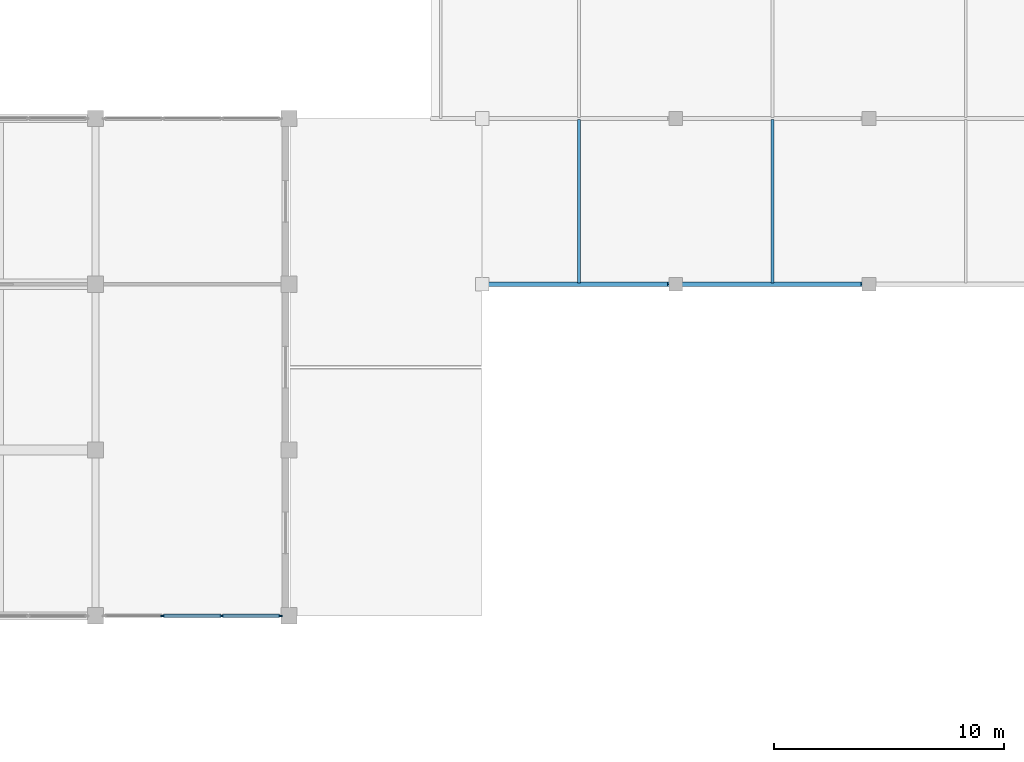
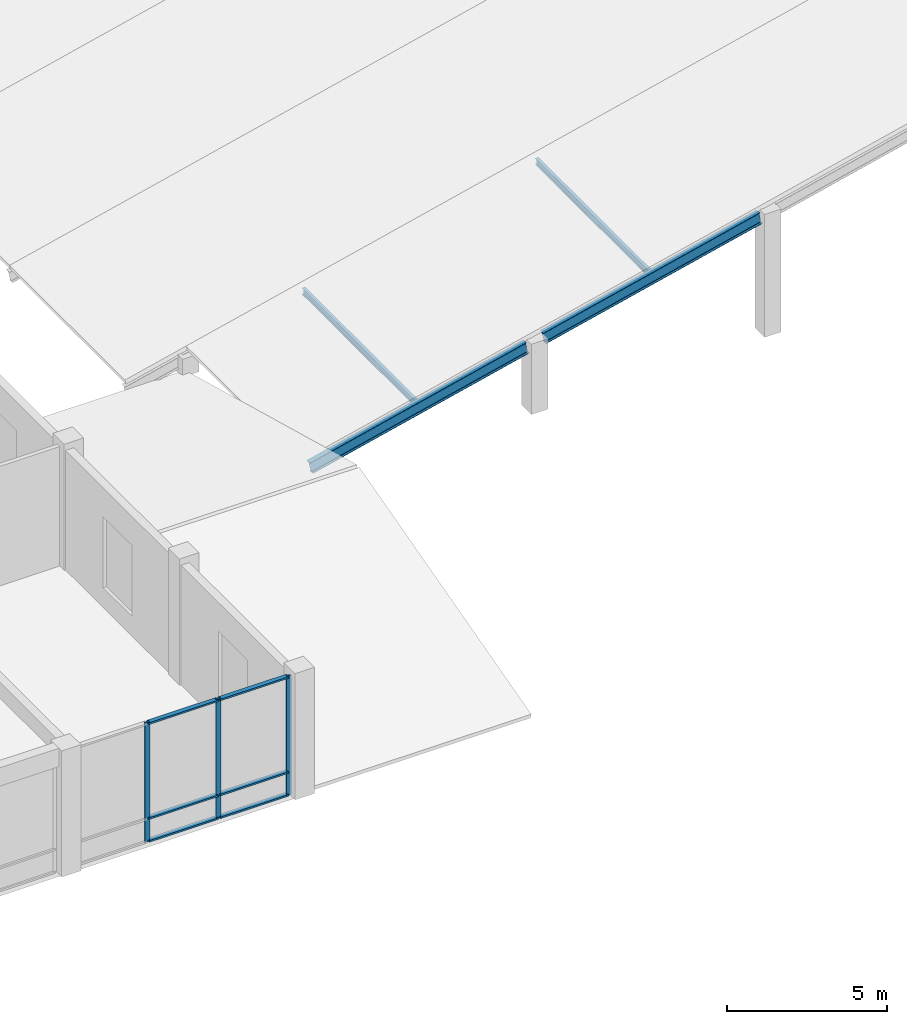
# One storey, part 23 of 51: 11 members, 2 beams, 1 element without a shape of its own.
"""IFC4 building model written with IfcOpenShell, lengths in metres."""

import ifcopenshell
import ifcopenshell.guid

model = None  # the IFC model being written
_history = None  # IfcOwnerHistory: only IFC2X3 demands one
_inside = {}  # id of a spatial element -> (the spatial element, [elements in it])
_under = {}  # id of a project, library or spatial element -> (it, [spatial elements below it])
_declared = {}  # id of a project -> (the project, [libraries it declares])
_typed = {}  # id of a type object -> (the type object, [elements of that type])
_made_of = {}  # id of a material, layer set ... -> (it, [elements and type objects made of it])


def new_model(schema):
    """Start an empty IFC model of exactly this schema.

    Asked for "IFC4X3", IfcOpenShell would pick the latest addendum, in which some entities
    have other attributes; the version numbers below select the first issue.
    IFC2X3 requires an IfcOwnerHistory on every rooted entity: one is made here for all.
    """
    global model, _history
    if schema == "IFC4X3":
        model = ifcopenshell.file(schema_version=(4, 3, 0, 0))
    else:
        model = ifcopenshell.file(schema=schema)
    _inside.clear()
    _under.clear()
    _declared.clear()
    _typed.clear()
    _made_of.clear()
    _history = None
    if model.schema == "IFC2X3":
        org = make("IfcOrganization", Name="unknown")
        user = make(
            "IfcPersonAndOrganization",
            ThePerson=make("IfcPerson", FamilyName="unknown"),
            TheOrganization=org,
        )
        app = make(
            "IfcApplication",
            ApplicationDeveloper=org,
            Version="unknown",
            ApplicationFullName="unknown",
            ApplicationIdentifier="unknown",
        )
        _history = make(
            "IfcOwnerHistory",
            OwningUser=user,
            OwningApplication=app,
            ChangeAction="ADDED",
            CreationDate=0,
        )
    return model


def make(cls, **values):
    """One entity of the class cls with the attributes given. An attribute that is None is left unset."""
    return model.create_entity(
        cls, **{name: value for name, value in values.items() if value is not None}
    )


def rooted(cls, **values):
    """An entity with a GlobalId (a new one), such as an element, a storey or a relation."""
    return make(cls, GlobalId=ifcopenshell.guid.new(), OwnerHistory=_history, **values)


def si_unit(unit_type, name, prefix=None):
    """IfcSIUnit, for example si_unit("LENGTHUNIT", "METRE", prefix="MILLI")."""
    return make("IfcSIUnit", UnitType=unit_type, Prefix=prefix, Name=name)


def assignment(units):
    """IfcUnitAssignment: the units of a project."""
    return None if units is None else make("IfcUnitAssignment", Units=units)


def point(xyz):
    """IfcCartesianPoint."""
    return None if xyz is None else make("IfcCartesianPoint", Coordinates=xyz)


def direction(xyz):
    """IfcDirection."""
    return None if xyz is None else make("IfcDirection", DirectionRatios=xyz)


def frame(location, z_axis=None, x_axis=None):
    """IfcAxis2Placement3D, a coordinate frame: its origin and axes. An axis left out is left unset."""
    return make(
        "IfcAxis2Placement3D",
        Location=point(location),
        Axis=direction(z_axis),
        RefDirection=direction(x_axis),
    )


def frame_2d(location, x_axis=None):
    """IfcAxis2Placement2D, a coordinate frame in the plane: its origin and x axis."""
    return make(
        "IfcAxis2Placement2D", Location=point(location), RefDirection=direction(x_axis)
    )


def origin():
    """The frame at (0, 0, 0) with its axes left unset."""
    return frame((0.0, 0.0, 0.0))


def origin_2d():
    """The frame at (0, 0) in the plane with its x axis left unset."""
    return frame_2d((0.0, 0.0))


def place(relative_to, where):
    """IfcLocalPlacement: puts the frame where relative to a parent placement (None: the world)."""
    return make(
        "IfcLocalPlacement", PlacementRelTo=relative_to, RelativePlacement=where
    )


def context(
    kind, dimensions, precision=None, world=None, true_north=None, identifier=None
):
    """IfcGeometricRepresentationContext, for example the 3D "Model" context."""
    return make(
        "IfcGeometricRepresentationContext",
        ContextIdentifier=identifier,
        ContextType=kind,
        CoordinateSpaceDimension=dimensions,
        Precision=precision,
        WorldCoordinateSystem=world,
        TrueNorth=true_north,
    )


def subcontext(parent, identifier, kind, view, scale=None):
    """IfcGeometricRepresentationSubContext, for example "Body" below "Model"."""
    return make(
        "IfcGeometricRepresentationSubContext",
        ContextIdentifier=identifier,
        ContextType=kind,
        ParentContext=parent,
        TargetScale=scale,
        TargetView=view,
    )


def project(units=None, contexts=None):
    """IfcProject with its units and contexts."""
    return rooted(
        "IfcProject",
        Name="project",
        RepresentationContexts=contexts,
        UnitsInContext=assignment(units),
    )


def spatial(cls, under=None, at=None, **own):
    """A site, building, storey or space (cls), placed at a placement, below another one or the project."""
    s = rooted(cls, ObjectPlacement=at, **own)
    if under is not None:
        _under.setdefault(under.id(), (under, []))[1].append(s)
    return s


def profile(cls, at=None, kind="AREA", **sizes):
    """A parametric profile (cls). Its sizes go by their IFC names, for example OverallWidth=200.0."""
    return make(cls, ProfileType=kind, Position=at, **sizes)


def rectangle(**sizes):
    """IfcRectangleProfileDef."""
    return profile("IfcRectangleProfileDef", **sizes)


def i_section(**sizes):
    """IfcIShapeProfileDef."""
    return profile("IfcIShapeProfileDef", **sizes)


def extrude(swept, where, along, depth):
    """IfcExtrudedAreaSolid: the profile swept, set in the frame where, extruded along a direction by depth."""
    return make(
        "IfcExtrudedAreaSolid",
        SweptArea=swept,
        Position=where,
        ExtrudedDirection=direction(along),
        Depth=depth,
    )


def shape(context_of_items, identifier, shape_type, items):
    """IfcShapeRepresentation: the items that make up one representation, for example the "Body"."""
    return make(
        "IfcShapeRepresentation",
        ContextOfItems=context_of_items,
        RepresentationIdentifier=identifier,
        RepresentationType=shape_type,
        Items=items,
    )


def material(Name=None, Category=None):
    """IfcMaterial."""
    return make("IfcMaterial", Name=Name, Category=Category)


def material_profile(
    of_material, cross_section, Name=None, Category=None, Priority=None
):
    """IfcMaterialProfile: a cross section and its material."""
    return make(
        "IfcMaterialProfile",
        Name=Name,
        Material=of_material,
        Profile=cross_section,
        Priority=Priority,
        Category=Category,
    )


def profile_set(profiles, Name=None, composite=None):
    """IfcMaterialProfileSet."""
    return make(
        "IfcMaterialProfileSet",
        Name=Name,
        MaterialProfiles=profiles,
        CompositeProfile=composite,
    )


def made_of(thing, what):
    """Note that an element or type object is made of a material, layer set ...; save() writes the relation."""
    if what is not None:
        _made_of.setdefault(what.id(), (what, []))[1].append(thing)
    return thing


def type_object(cls, material=None, **own):
    """A type object (cls), such as IfcWallType, which elements share."""
    return made_of(rooted(cls, **own), material)


def element(
    cls,
    number,
    at=None,
    inside=None,
    cuts=None,
    type_object=None,
    material=None,
    context=None,
    identifier="Body",
    shape_type=None,
    held_by="IfcProductDefinitionShape",
    body=None,
    shapes=None,
    **own,
):
    """One element of the class cls, such as IfcWall. Its Tag is "e" and its number.

    at: its placement. inside: the storey or other place that contains it. cuts: it is an
    opening in that element (IfcRelVoidsElement). A single representation is given by context,
    identifier, shape_type and body (its items); several are given by shapes. held_by: the class
    of the entity that holds the representations. save() writes the other relations.
    """
    e = rooted(cls, Tag="e%d" % number, ObjectPlacement=at, **own)
    if body is not None:
        shapes = [shape(context, identifier, shape_type, body)]
    if shapes is not None:
        e.Representation = make(held_by, Representations=shapes)
    if inside is not None:
        _inside.setdefault(inside.id(), (inside, []))[1].append(e)
    if cuts is not None:
        rooted(
            "IfcRelVoidsElement", RelatingBuildingElement=cuts, RelatedOpeningElement=e
        )
    if type_object is not None:
        _typed.setdefault(type_object.id(), (type_object, []))[1].append(e)
    return made_of(e, material)


def aggregate(whole, parts):
    """IfcRelAggregates: a whole, such as a stair, and the parts it consists of."""
    return rooted("IfcRelAggregates", RelatingObject=whole, RelatedObjects=parts)


def save(model, path):
    """Write the relations noted so far, then the file.

    IfcRelAggregates (storeys below a building ...), IfcRelContainedInSpatialStructure (elements
    in a storey), IfcRelDefinesByType, IfcRelAssociatesMaterial and IfcRelDeclares: one each for
    every whole, place, type object, material and project.
    """
    for whole, parts in _under.values():
        aggregate(whole, parts)
    for where, things in _inside.values():
        rooted(
            "IfcRelContainedInSpatialStructure",
            RelatedElements=things,
            RelatingStructure=where,
        )
    for kind, things in _typed.values():
        rooted("IfcRelDefinesByType", RelatedObjects=things, RelatingType=kind)
    for what, things in _made_of.values():
        rooted("IfcRelAssociatesMaterial", RelatedObjects=things, RelatingMaterial=what)
    for by, libraries in _declared.values():
        rooted("IfcRelDeclares", RelatingContext=by, RelatedDefinitions=libraries)
    model.write(path)


model = new_model("IFC4")

# Units and contexts
model_context = context("Model", 3, precision=1e-05, world=origin(), true_north=direction((0.0, 1.0)))
body_context = subcontext(model_context, "Body", "Model", "MODEL_VIEW")
ifc_project = project(units=[si_unit("LENGTHUNIT", "METRE"), si_unit("AREAUNIT", "SQUARE_METRE"), si_unit("VOLUMEUNIT", "CUBIC_METRE"), si_unit("PLANEANGLEUNIT", "RADIAN"), si_unit("MASSUNIT", "GRAM", prefix="KILO")], contexts=[model_context])

# Site, building, storey
site_placement = place(None, origin())
site = spatial("IfcSite", under=ifc_project, at=site_placement, CompositionType="ELEMENT")
building_placement = place(site_placement, origin())
building = spatial("IfcBuilding", under=site, at=building_placement, Name="Kenerak Square Central Library", CompositionType="ELEMENT")
storey_placement = place(building_placement, frame((0.0, 0.0, 9.60009765625)))
storey = spatial("IfcBuildingStorey", under=building, at=storey_placement, Name="L02", CompositionType="ELEMENT", Elevation=9.60009765625)

# Curtain wall, members
ifc_material_1 = material(Name="Anodised aluminium and solar-control low-E glazing", Category="aluminium")
curtain_wall_type = type_object("IfcCurtainWallType", Name="Curtain Wall CW-V6-77x45 7700x4550", PredefinedType="USERDEFINED", material=ifc_material_1)
curtain_wall_placement = place(storey_placement, origin())
curtain_wall = element("IfcCurtainWall", 1, at=curtain_wall_placement, inside=storey, type_object=curtain_wall_type, Name="Curtain Wall CW-V6-77x45 L02 0092", ObjectType="CURTAIN WALL", PredefinedType="USERDEFINED")
ifc_material_2 = material(Name="Anodised aluminium 6063-T6", Category="aluminium")
ifc_material_profile_1 = material_profile(ifc_material_2, rectangle(XDim=0.06494140625, YDim=0.179931640625, at=origin_2d()), Name="AL MULLION 65x180")
ifc_profile_set_1 = profile_set([ifc_material_profile_1], Name="Anodised aluminium 6063-T6")
member_type_1 = type_object("IfcMemberType", Name="Curtain Mullion CM-01 65x180", PredefinedType="MULLION", material=ifc_profile_set_1)
member_1_placement = place(storey_placement, frame((142.017578125, 16.800048828125, 0.0), z_axis=(0.0, 0.0, 1.0), x_axis=(0.0, -1.0, 0.0)))
member_1 = element("IfcMember", 2, at=member_1_placement, type_object=member_type_1, Name="CW-V6-77x45 Mullion 1", PredefinedType="MULLION", context=body_context, shape_type="SweptSolid", body=[
    extrude(rectangle(XDim=0.06494140625, YDim=0.179931640625, at=origin_2d()), origin(), (0.0, 0.0, 1.0), 4.5498046875),
])
member_2_placement = place(storey_placement, frame((139.4833984375, 16.800048828125, 0.0), z_axis=(0.0, 0.0, 1.0), x_axis=(0.0, -1.0, 0.0)))
member_2 = element("IfcMember", 3, at=member_2_placement, type_object=member_type_1, Name="CW-V6-77x45 Mullion 2", PredefinedType="MULLION", context=body_context, shape_type="SweptSolid", body=[
    extrude(rectangle(XDim=0.06494140625, YDim=0.179931640625, at=origin_2d()), origin(), (0.0, 0.0, 1.0), 4.5498046875),
])
member_3_placement = place(storey_placement, frame((136.916748046875, 16.800048828125, 0.0), z_axis=(0.0, 0.0, 1.0), x_axis=(0.0, -1.0, 0.0)))
member_3 = element("IfcMember", 4, at=member_3_placement, type_object=member_type_1, Name="CW-V6-77x45 Mullion 3", PredefinedType="MULLION", context=body_context, shape_type="SweptSolid", body=[
    extrude(rectangle(XDim=0.06494140625, YDim=0.179931640625, at=origin_2d()), origin(), (0.0, 0.0, 1.0), 4.5498046875),
])
ifc_material_profile_2 = material_profile(ifc_material_2, rectangle(XDim=0.159912109375, YDim=0.06494140625, at=origin_2d()), Name="AL TRANSOM 160x65")
ifc_profile_set_2 = profile_set([ifc_material_profile_2], Name="Anodised aluminium 6063-T6")
member_type_2 = type_object("IfcMemberType", Name="Curtain Transom CT-11 160x65", PredefinedType="USERDEFINED", material=ifc_profile_set_2)
member_4_placement = place(storey_placement, frame((141.985107421875, 16.800048828125, 0.032470703125), z_axis=(-1.0, 0.0, 0.0), x_axis=(0.0, -1.0, 0.0)))
member_4 = element("IfcMember", 5, at=member_4_placement, type_object=member_type_2, Name="CW-V6-77x45 Transom 1.1", ObjectType="TRANSOM", PredefinedType="USERDEFINED", context=body_context, shape_type="SweptSolid", body=[
    extrude(rectangle(XDim=0.159912109375, YDim=0.06494140625, at=origin_2d()), origin(), (0.0, 0.0, 1.0), 2.46923828125),
])
member_5_placement = place(storey_placement, frame((141.985107421875, 16.800048828125, 0.89990234375), z_axis=(-1.0, 0.0, 0.0), x_axis=(0.0, -1.0, 0.0)))
member_5 = element("IfcMember", 6, at=member_5_placement, type_object=member_type_2, Name="CW-V6-77x45 Transom 1.2", ObjectType="TRANSOM", PredefinedType="USERDEFINED", context=body_context, shape_type="SweptSolid", body=[
    extrude(rectangle(XDim=0.159912109375, YDim=0.06494140625, at=origin_2d()), origin(), (0.0, 0.0, 1.0), 2.46923828125),
])
member_6_placement = place(storey_placement, frame((141.985107421875, 16.800048828125, 4.517333984375), z_axis=(-1.0, 0.0, 0.0), x_axis=(0.0, -1.0, 0.0)))
member_6 = element("IfcMember", 7, at=member_6_placement, type_object=member_type_2, Name="CW-V6-77x45 Transom 1.3", ObjectType="TRANSOM", PredefinedType="USERDEFINED", context=body_context, shape_type="SweptSolid", body=[
    extrude(rectangle(XDim=0.159912109375, YDim=0.06494140625, at=origin_2d()), origin(), (0.0, 0.0, 1.0), 2.46923828125),
])
member_7_placement = place(storey_placement, frame((139.450927734375, 16.800048828125, 0.032470703125), z_axis=(-1.0, 0.0, 0.0), x_axis=(0.0, -1.0, 0.0)))
member_7 = element("IfcMember", 8, at=member_7_placement, type_object=member_type_2, Name="CW-V6-77x45 Transom 2.1", ObjectType="TRANSOM", PredefinedType="USERDEFINED", context=body_context, shape_type="SweptSolid", body=[
    extrude(rectangle(XDim=0.159912109375, YDim=0.06494140625, at=origin_2d()), origin(), (0.0, 0.0, 1.0), 2.501708984375),
])
member_8_placement = place(storey_placement, frame((139.450927734375, 16.800048828125, 0.89990234375), z_axis=(-1.0, 0.0, 0.0), x_axis=(0.0, -1.0, 0.0)))
member_8 = element("IfcMember", 9, at=member_8_placement, type_object=member_type_2, Name="CW-V6-77x45 Transom 2.2", ObjectType="TRANSOM", PredefinedType="USERDEFINED", context=body_context, shape_type="SweptSolid", body=[
    extrude(rectangle(XDim=0.159912109375, YDim=0.06494140625, at=origin_2d()), origin(), (0.0, 0.0, 1.0), 2.501708984375),
])
member_9_placement = place(storey_placement, frame((139.450927734375, 16.800048828125, 4.517333984375), z_axis=(-1.0, 0.0, 0.0), x_axis=(0.0, -1.0, 0.0)))
member_9 = element("IfcMember", 10, at=member_9_placement, type_object=member_type_2, Name="CW-V6-77x45 Transom 2.3", ObjectType="TRANSOM", PredefinedType="USERDEFINED", context=body_context, shape_type="SweptSolid", body=[
    extrude(rectangle(XDim=0.159912109375, YDim=0.06494140625, at=origin_2d()), origin(), (0.0, 0.0, 1.0), 2.501708984375),
])
aggregate(curtain_wall, [member_1, member_2, member_3, member_4, member_5, member_6, member_7, member_8, member_9])

# Beams
ifc_material_3 = material(Name="Steel S355", Category="steel")
ifc_material_profile_3 = material_profile(ifc_material_3, i_section(OverallWidth=0.18994140625, OverallDepth=0.449951171875, WebThickness=0.009521484375, FlangeThickness=0.0146484375, FilletRadius=0.02099609375, at=origin_2d()), Name="IPE 450")
ifc_profile_set_3 = profile_set([ifc_material_profile_3], Name="Steel S355")
beam_type = type_object("IfcBeamType", Name="Pavilion Roof Rafter SB-08 IPE 450 S355", PredefinedType="BEAM", material=ifc_profile_set_3)
beam_1_placement = place(storey_placement, frame((151.10009765625, 31.199951171875, 0.561279296875), z_axis=(0.972803927651, 0.0, 0.231630132642), x_axis=(0.0, 1.0, 0.0)))
element("IfcBeam", 11, at=beam_1_placement, inside=storey, type_object=beam_type, Name="Pavilion Roof Rafter SB-08 1-1", PredefinedType="BEAM", context=body_context, shape_type="SweptSolid", body=[
    extrude(i_section(OverallWidth=0.18994140625, OverallDepth=0.449951171875, WebThickness=0.009521484375, FlangeThickness=0.0146484375, FilletRadius=0.02099609375, at=origin_2d()), origin(), (0.0, 0.0, 1.0), 8.017822265625),
])
beam_2_placement = place(storey_placement, frame((159.5, 31.199951171875, 2.561279296875), z_axis=(0.972805561276, 0.0, 0.231623271609), x_axis=(0.0, 1.0, 0.0)))
element("IfcBeam", 12, at=beam_2_placement, inside=storey, type_object=beam_type, Name="Pavilion Roof Rafter SB-08 1-2", PredefinedType="BEAM", context=body_context, shape_type="SweptSolid", body=[
    extrude(i_section(OverallWidth=0.18994140625, OverallDepth=0.449951171875, WebThickness=0.009521484375, FlangeThickness=0.0146484375, FilletRadius=0.02099609375, at=origin_2d()), origin(), (0.0, 0.0, 1.0), 8.01806640625),
])

# Members
ifc_material_profile_4 = material_profile(ifc_material_3, i_section(OverallWidth=0.1201171875, OverallDepth=0.239990234375, WebThickness=0.006103515625, FlangeThickness=0.009765625, FilletRadius=0.014892578125, at=origin_2d()), Name="IPE 240")
ifc_profile_set_4 = profile_set([ifc_material_profile_4], Name="Steel S355")
member_type_3 = type_object("IfcMemberType", Name="Roof Steel Purlin PR-01 IPE 240 S355", PredefinedType="PURLIN", material=ifc_profile_set_4)
for number, where, z_axis, x_axis, name in (
    (13, (155.0, 31.25, 1.56982421875), (0.0, 1.0, 0.0), (-1.0, 0.0, 0.0), "Pavilion Roof Purlin PR-01 0214"),
    (14, (163.39990234375, 31.25, 3.56982421875), (0.0, 1.0, 0.0), (-1.0, 0.0, 0.0), "Pavilion Roof Purlin PR-01 0215"),
):
    element("IfcMember", number, at=place(storey_placement, frame(where, z_axis=z_axis, x_axis=x_axis)), inside=storey, type_object=member_type_3, Name=name, PredefinedType="PURLIN", context=body_context, shape_type="SweptSolid", body=[
        extrude(i_section(OverallWidth=0.1201171875, OverallDepth=0.239990234375, WebThickness=0.006103515625, FlangeThickness=0.009765625, FilletRadius=0.014892578125, at=origin_2d()), origin(), (0.0, 0.0, 1.0), 7.10009765625),
    ])

save(model, "model.ifc")
